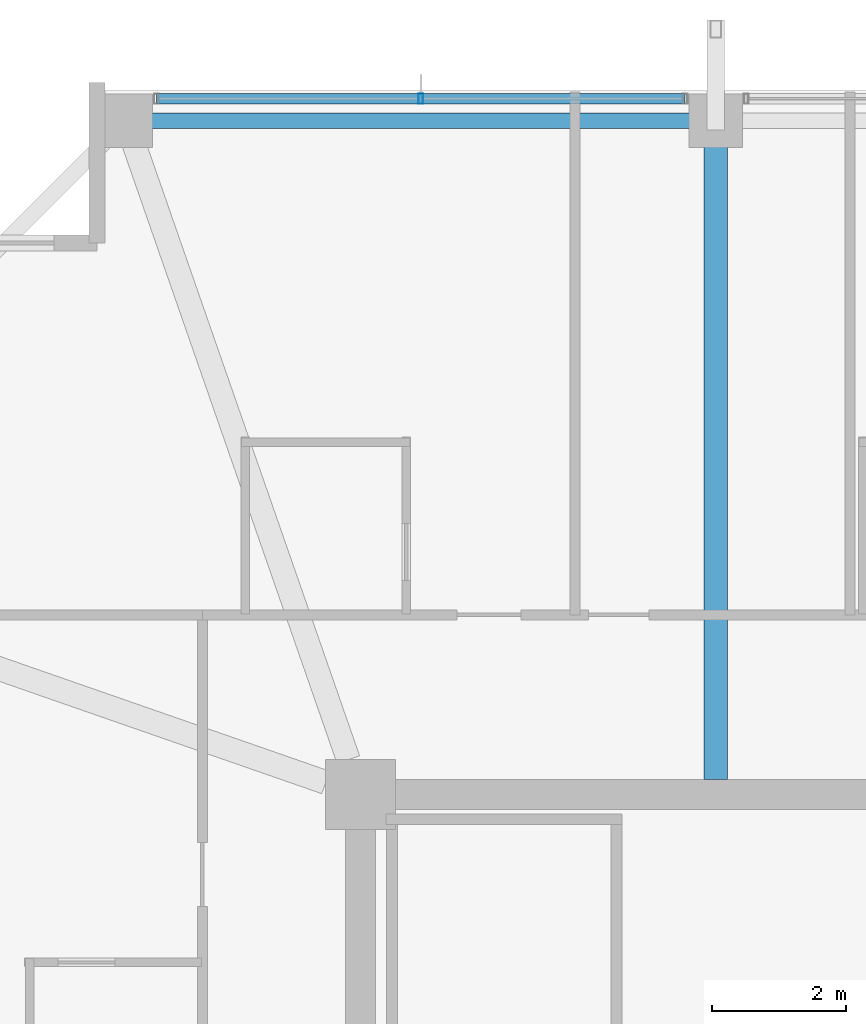
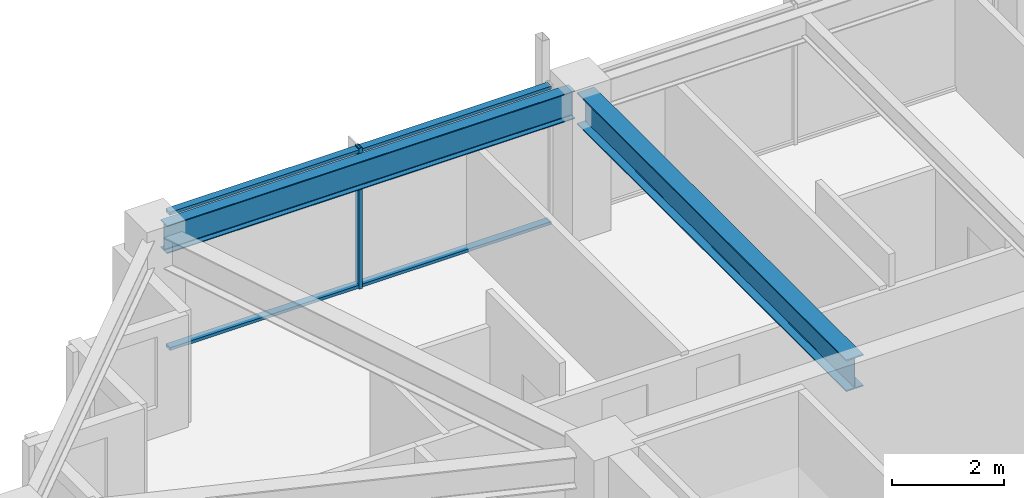
# One storey, part 18 of 35: 3 members, 2 beams, 1 element without a shape of its own.
"""IFC4 building model written with IfcOpenShell, lengths in metres."""

from ifc_helpers import new_model, si_unit, direction, frame, origin, origin_2d, place, context, subcontext, project, spatial, hollow_rectangle, i_section, extrude, material, material_profile, profile_set, type_object, element, aggregate, save


model = new_model("IFC4")

# Units and contexts
model_context = context("Model", 3, precision=1e-05, world=origin(), true_north=direction((0.0, 1.0)))
body_context = subcontext(model_context, "Body", "Model", "MODEL_VIEW")
ifc_project = project(units=[si_unit("LENGTHUNIT", "METRE"), si_unit("AREAUNIT", "SQUARE_METRE"), si_unit("VOLUMEUNIT", "CUBIC_METRE"), si_unit("PLANEANGLEUNIT", "RADIAN"), si_unit("MASSUNIT", "GRAM", prefix="KILO")], contexts=[model_context])

# Site, building, storey
site_placement = place(None, origin())
site = spatial("IfcSite", under=ifc_project, at=site_placement, CompositionType="ELEMENT")
building_placement = place(site_placement, origin())
building = spatial("IfcBuilding", under=site, at=building_placement, Name="Kolvaren Belvedere", CompositionType="ELEMENT")
storey_placement = place(building_placement, frame((0.0, 0.0, 216.300048828125)))
storey = spatial("IfcBuildingStorey", under=building, at=storey_placement, Name="L63", CompositionType="ELEMENT", Elevation=216.300048828125)

# Beams
ifc_material_1 = material(Name="Structural steel ASTM A992 Grade 50", Category="steel")
ifc_material_profile_1 = material_profile(ifc_material_1, i_section(OverallWidth=0.35498046875, OverallDepth=0.696044921875, WebThickness=0.015380859375, FlangeThickness=0.02490234375, FilletRadius=0.02197265625, at=origin_2d()), Name="W27X146")
ifc_profile_set_1 = profile_set([ifc_material_profile_1], Name="Structural steel ASTM A992 Grade 50")
beam_type_1 = type_object("IfcBeamType", Name="BM-GIRD-W27X146", PredefinedType="BEAM", material=ifc_profile_set_1)
beam_1_placement = place(storey_placement, frame((-4.60009765625, 10.125, 2.73193359375), z_axis=(0.0, 1.0, 0.0), x_axis=(-1.0, 0.0, 0.0)))
element("IfcBeam", 1, at=beam_1_placement, inside=storey, type_object=beam_type_1, Name="L63 North Radial Girder M", PredefinedType="BEAM", context=body_context, shape_type="SweptSolid", body=[
    extrude(i_section(OverallWidth=0.35498046875, OverallDepth=0.696044921875, WebThickness=0.015380859375, FlangeThickness=0.02490234375, FilletRadius=0.02197265625, at=origin_2d()), origin(), (0.0, 0.0, 1.0), 9.64501953125),
])
ifc_material_2 = material(Name="Structural steel ASTM A992 Grade 50", Category="steel")
ifc_material_profile_2 = material_profile(ifc_material_2, i_section(OverallWidth=0.22900390625, OverallDepth=0.612060546875, WebThickness=0.011962890625, FlangeThickness=0.01953125, FilletRadius=0.01806640625, at=origin_2d()), Name="W24X84")
ifc_profile_set_2 = profile_set([ifc_material_profile_2], Name="Structural steel ASTM A992 Grade 50")
beam_type_2 = type_object("IfcBeamType", Name="BM-SPAN-W24X84", PredefinedType="SPANDREL", material=ifc_profile_set_2)
beam_2_placement = place(storey_placement, frame((-4.780029296875, 19.949951171875, 2.77392578125), z_axis=(-1.0, 0.0, 0.0), x_axis=(0.0, -1.0, 0.0)))
element("IfcBeam", 2, at=beam_2_placement, inside=storey, type_object=beam_type_2, Name="L63 Perimeter Spandrel N2-N1", PredefinedType="SPANDREL", context=body_context, shape_type="SweptSolid", body=[
    extrude(i_section(OverallWidth=0.22900390625, OverallDepth=0.612060546875, WebThickness=0.011962890625, FlangeThickness=0.01953125, FilletRadius=0.01806640625, at=origin_2d()), origin(), (0.0, 0.0, 1.0), 8.43994140625),
])

# Curtain wall, members
ifc_material_3 = material(Name="Anodised pale-metal aluminium AA 6063-T6", Category="aluminium")
curtain_wall_type = type_object("IfcCurtainWallType", Name="CW-Z5-HIGH", PredefinedType="NOTDEFINED", material=ifc_material_3)
curtain_wall_placement = place(storey_placement, origin())
curtain_wall = element("IfcCurtainWall", 3, at=curtain_wall_placement, inside=storey, type_object=curtain_wall_type, Name="L63 Unitised Curtain Wall FCW-L63-N-B1", PredefinedType="NOTDEFINED")
ifc_material_4 = material(Name="Anodised pale-metal aluminium AA 6063-T6", Category="aluminium")
ifc_material_profile_3 = material_profile(ifc_material_4, hollow_rectangle(XDim=0.070068359375, YDim=0.14990234375, WallThickness=0.004150390625, at=origin_2d()), Name="ALU-MUL-150X70")
ifc_profile_set_3 = profile_set([ifc_material_profile_3], Name="Anodised pale-metal aluminium AA 6063-T6")
member_type_1 = type_object("IfcMemberType", Name="CW-MUL-150", PredefinedType="MULLION", material=ifc_profile_set_3)
member_1_placement = place(storey_placement, frame((-9.0, 20.280029296875, 0.0), z_axis=(0.0, 0.0, 1.0), x_axis=(1.0, 0.0, 0.0)))
member_1 = element("IfcMember", 4, at=member_1_placement, type_object=member_type_1, Name="FCW-L63-N-B1 Unitised Mullion 2", PredefinedType="MULLION", context=body_context, shape_type="SweptSolid", body=[
    extrude(hollow_rectangle(XDim=0.070068359375, YDim=0.14990234375, WallThickness=0.004150390625, at=origin_2d()), origin(), (0.0, 0.0, 1.0), 3.079833984375),
])
ifc_material_5 = material(Name="Anodised pale-metal aluminium AA 6063-T6", Category="aluminium")
ifc_material_profile_4 = material_profile(ifc_material_5, hollow_rectangle(XDim=0.06494140625, YDim=0.14990234375, WallThickness=0.00390625, at=origin_2d()), Name="ALU-TRN-150X65")
ifc_profile_set_4 = profile_set([ifc_material_profile_4], Name="Anodised pale-metal aluminium AA 6063-T6")
member_type_2 = type_object("IfcMemberType", Name="CW-TRN-150", PredefinedType="USERDEFINED", material=ifc_profile_set_4)
member_2_placement = place(storey_placement, frame((-12.945068359375, 20.280029296875, 0.06005859375), z_axis=(1.0, 0.0, 0.0), x_axis=(0.0, 0.0, 1.0)))
member_2 = element("IfcMember", 5, at=member_2_placement, type_object=member_type_2, Name="FCW-L63-N-B1 Sill Transom", ObjectType="TRANSOM", PredefinedType="USERDEFINED", context=body_context, shape_type="SweptSolid", body=[
    extrude(hollow_rectangle(XDim=0.06494140625, YDim=0.14990234375, WallThickness=0.00390625, at=origin_2d()), origin(), (0.0, 0.0, 1.0), 7.89013671875),
])
member_3_placement = place(storey_placement, frame((-12.945068359375, 20.280029296875, 3.02001953125), z_axis=(1.0, 0.0, 0.0), x_axis=(0.0, 0.0, 1.0)))
member_3 = element("IfcMember", 6, at=member_3_placement, type_object=member_type_2, Name="FCW-L63-N-B1 Head Transom", ObjectType="TRANSOM", PredefinedType="USERDEFINED", context=body_context, shape_type="SweptSolid", body=[
    extrude(hollow_rectangle(XDim=0.06494140625, YDim=0.14990234375, WallThickness=0.00390625, at=origin_2d()), origin(), (0.0, 0.0, 1.0), 7.89013671875),
])
aggregate(curtain_wall, [member_1, member_2, member_3])

save(model, "model.ifc")
